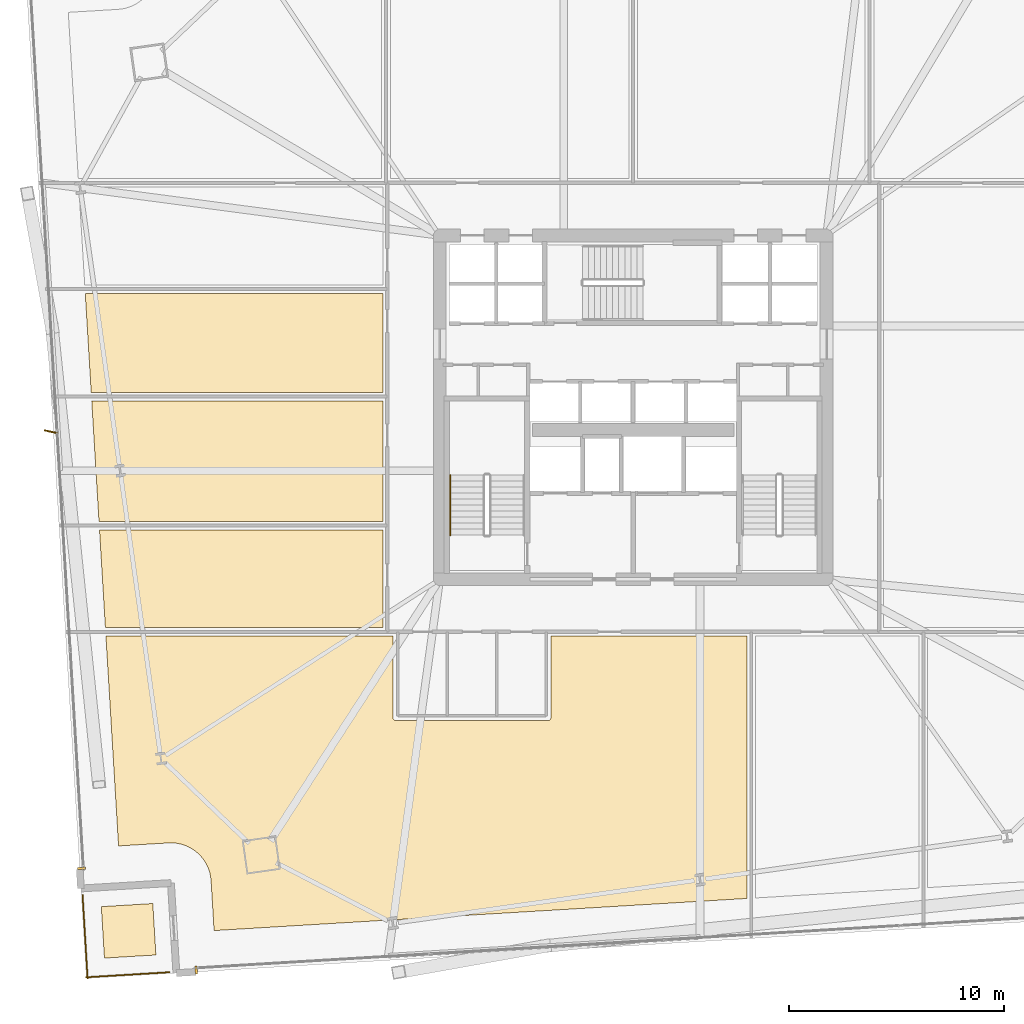
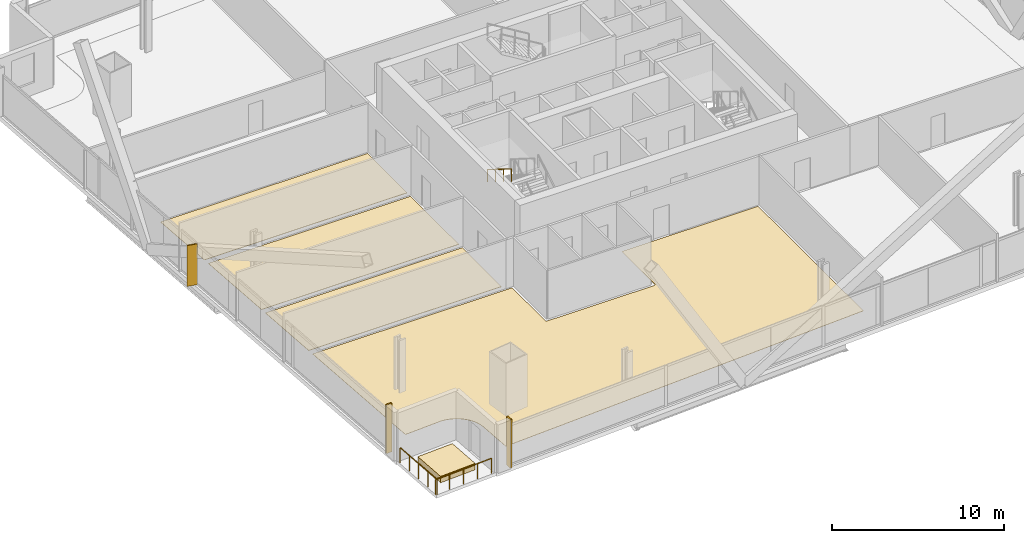
# One storey, part 30 of 34: 7 coverings, 3 railings, 1 shading device.
"""IFC4 building model written with IfcOpenShell, lengths in metres."""

import ifcopenshell
import ifcopenshell.guid

model = None  # the IFC model being written
_history = None  # IfcOwnerHistory: only IFC2X3 demands one
_inside = {}  # id of a spatial element -> (the spatial element, [elements in it])
_under = {}  # id of a project, library or spatial element -> (it, [spatial elements below it])
_declared = {}  # id of a project -> (the project, [libraries it declares])
_typed = {}  # id of a type object -> (the type object, [elements of that type])
_made_of = {}  # id of a material, layer set ... -> (it, [elements and type objects made of it])


def new_model(schema):
    """Start an empty IFC model of exactly this schema.

    Asked for "IFC4X3", IfcOpenShell would pick the latest addendum, in which some entities
    have other attributes; the version numbers below select the first issue.
    IFC2X3 requires an IfcOwnerHistory on every rooted entity: one is made here for all.
    """
    global model, _history
    if schema == "IFC4X3":
        model = ifcopenshell.file(schema_version=(4, 3, 0, 0))
    else:
        model = ifcopenshell.file(schema=schema)
    _inside.clear()
    _under.clear()
    _declared.clear()
    _typed.clear()
    _made_of.clear()
    _history = None
    if model.schema == "IFC2X3":
        org = make("IfcOrganization", Name="unknown")
        user = make(
            "IfcPersonAndOrganization",
            ThePerson=make("IfcPerson", FamilyName="unknown"),
            TheOrganization=org,
        )
        app = make(
            "IfcApplication",
            ApplicationDeveloper=org,
            Version="unknown",
            ApplicationFullName="unknown",
            ApplicationIdentifier="unknown",
        )
        _history = make(
            "IfcOwnerHistory",
            OwningUser=user,
            OwningApplication=app,
            ChangeAction="ADDED",
            CreationDate=0,
        )
    return model


def make(cls, **values):
    """One entity of the class cls with the attributes given. An attribute that is None is left unset."""
    return model.create_entity(
        cls, **{name: value for name, value in values.items() if value is not None}
    )


def rooted(cls, **values):
    """An entity with a GlobalId (a new one), such as an element, a storey or a relation."""
    return make(cls, GlobalId=ifcopenshell.guid.new(), OwnerHistory=_history, **values)


def si_unit(unit_type, name, prefix=None):
    """IfcSIUnit, for example si_unit("LENGTHUNIT", "METRE", prefix="MILLI")."""
    return make("IfcSIUnit", UnitType=unit_type, Prefix=prefix, Name=name)


def assignment(units):
    """IfcUnitAssignment: the units of a project."""
    return None if units is None else make("IfcUnitAssignment", Units=units)


def point(xyz):
    """IfcCartesianPoint."""
    return None if xyz is None else make("IfcCartesianPoint", Coordinates=xyz)


def direction(xyz):
    """IfcDirection."""
    return None if xyz is None else make("IfcDirection", DirectionRatios=xyz)


def frame(location, z_axis=None, x_axis=None):
    """IfcAxis2Placement3D, a coordinate frame: its origin and axes. An axis left out is left unset."""
    return make(
        "IfcAxis2Placement3D",
        Location=point(location),
        Axis=direction(z_axis),
        RefDirection=direction(x_axis),
    )


def frame_2d(location, x_axis=None):
    """IfcAxis2Placement2D, a coordinate frame in the plane: its origin and x axis."""
    return make(
        "IfcAxis2Placement2D", Location=point(location), RefDirection=direction(x_axis)
    )


def origin():
    """The frame at (0, 0, 0) with its axes left unset."""
    return frame((0.0, 0.0, 0.0))


def origin_2d():
    """The frame at (0, 0) in the plane with its x axis left unset."""
    return frame_2d((0.0, 0.0))


def place(relative_to, where):
    """IfcLocalPlacement: puts the frame where relative to a parent placement (None: the world)."""
    return make(
        "IfcLocalPlacement", PlacementRelTo=relative_to, RelativePlacement=where
    )


def context(
    kind, dimensions, precision=None, world=None, true_north=None, identifier=None
):
    """IfcGeometricRepresentationContext, for example the 3D "Model" context."""
    return make(
        "IfcGeometricRepresentationContext",
        ContextIdentifier=identifier,
        ContextType=kind,
        CoordinateSpaceDimension=dimensions,
        Precision=precision,
        WorldCoordinateSystem=world,
        TrueNorth=true_north,
    )


def subcontext(parent, identifier, kind, view, scale=None):
    """IfcGeometricRepresentationSubContext, for example "Body" below "Model"."""
    return make(
        "IfcGeometricRepresentationSubContext",
        ContextIdentifier=identifier,
        ContextType=kind,
        ParentContext=parent,
        TargetScale=scale,
        TargetView=view,
    )


def project(units=None, contexts=None):
    """IfcProject with its units and contexts."""
    return rooted(
        "IfcProject",
        Name="project",
        RepresentationContexts=contexts,
        UnitsInContext=assignment(units),
    )


def spatial(cls, under=None, at=None, **own):
    """A site, building, storey or space (cls), placed at a placement, below another one or the project."""
    s = rooted(cls, ObjectPlacement=at, **own)
    if under is not None:
        _under.setdefault(under.id(), (under, []))[1].append(s)
    return s


def polyline(points):
    """IfcPolyline through the points."""
    return make("IfcPolyline", Points=[point(p) for p in points])


def profile(cls, at=None, kind="AREA", **sizes):
    """A parametric profile (cls). Its sizes go by their IFC names, for example OverallWidth=200.0."""
    return make(cls, ProfileType=kind, Position=at, **sizes)


def rectangle(**sizes):
    """IfcRectangleProfileDef."""
    return profile("IfcRectangleProfileDef", **sizes)


def outline(outer, holes=None, kind="AREA"):
    """IfcArbitraryClosedProfileDef: a profile drawn as a closed curve; with holes, ...WithVoids."""
    if holes is None:
        return make("IfcArbitraryClosedProfileDef", ProfileType=kind, OuterCurve=outer)
    return make(
        "IfcArbitraryProfileDefWithVoids",
        ProfileType=kind,
        OuterCurve=outer,
        InnerCurves=holes,
    )


def extrude(swept, where, along, depth):
    """IfcExtrudedAreaSolid: the profile swept, set in the frame where, extruded along a direction by depth."""
    return make(
        "IfcExtrudedAreaSolid",
        SweptArea=swept,
        Position=where,
        ExtrudedDirection=direction(along),
        Depth=depth,
    )


def shape(context_of_items, identifier, shape_type, items):
    """IfcShapeRepresentation: the items that make up one representation, for example the "Body"."""
    return make(
        "IfcShapeRepresentation",
        ContextOfItems=context_of_items,
        RepresentationIdentifier=identifier,
        RepresentationType=shape_type,
        Items=items,
    )


def source(mapping_origin, context_of_items, identifier, shape_type, items):
    """IfcRepresentationMap: a shape defined once, which mapped items show again and again."""
    return make(
        "IfcRepresentationMap",
        MappingOrigin=mapping_origin,
        MappedRepresentation=shape(context_of_items, identifier, shape_type, items),
    )


def transform(
    local_origin,
    x_axis=None,
    y_axis=None,
    z_axis=None,
    scale=None,
    scale2=None,
    scale3=None,
    uniform=True,
):
    """IfcCartesianTransformationOperator3D, or its non-uniform kind. x_axis, y_axis, z_axis: its Axis1, 2, 3."""
    if uniform:
        return make(
            "IfcCartesianTransformationOperator3D",
            Axis1=direction(x_axis),
            Axis2=direction(y_axis),
            LocalOrigin=point(local_origin),
            Scale=scale,
            Axis3=direction(z_axis),
        )
    return make(
        "IfcCartesianTransformationOperator3DnonUniform",
        Axis1=direction(x_axis),
        Axis2=direction(y_axis),
        LocalOrigin=point(local_origin),
        Scale=scale,
        Axis3=direction(z_axis),
        Scale2=scale2,
        Scale3=scale3,
    )


def mapped(mapping_source, mapping_target):
    """IfcMappedItem: shows the shape of a source again, moved by a transform."""
    return make(
        "IfcMappedItem", MappingSource=mapping_source, MappingTarget=mapping_target
    )


def material(Name=None, Category=None):
    """IfcMaterial."""
    return make("IfcMaterial", Name=Name, Category=Category)


def layer(
    of_material, thickness, ventilated=None, Name=None, Category=None, Priority=None
):
    """IfcMaterialLayer: one layer of a wall or slab, of a material (None: an air gap)."""
    return make(
        "IfcMaterialLayer",
        Material=of_material,
        LayerThickness=thickness,
        IsVentilated=ventilated,
        Name=Name,
        Category=Category,
        Priority=Priority,
    )


def layer_set(layers, Name=None):
    """IfcMaterialLayerSet."""
    return make("IfcMaterialLayerSet", MaterialLayers=layers, LayerSetName=Name)


def made_of(thing, what):
    """Note that an element or type object is made of a material, layer set ...; save() writes the relation."""
    if what is not None:
        _made_of.setdefault(what.id(), (what, []))[1].append(thing)
    return thing


def type_object(cls, material=None, **own):
    """A type object (cls), such as IfcWallType, which elements share."""
    return made_of(rooted(cls, **own), material)


def element(
    cls,
    number,
    at=None,
    inside=None,
    cuts=None,
    type_object=None,
    material=None,
    context=None,
    identifier="Body",
    shape_type=None,
    held_by="IfcProductDefinitionShape",
    body=None,
    shapes=None,
    **own,
):
    """One element of the class cls, such as IfcWall. Its Tag is "e" and its number.

    at: its placement. inside: the storey or other place that contains it. cuts: it is an
    opening in that element (IfcRelVoidsElement). A single representation is given by context,
    identifier, shape_type and body (its items); several are given by shapes. held_by: the class
    of the entity that holds the representations. save() writes the other relations.
    """
    e = rooted(cls, Tag="e%d" % number, ObjectPlacement=at, **own)
    if body is not None:
        shapes = [shape(context, identifier, shape_type, body)]
    if shapes is not None:
        e.Representation = make(held_by, Representations=shapes)
    if inside is not None:
        _inside.setdefault(inside.id(), (inside, []))[1].append(e)
    if cuts is not None:
        rooted(
            "IfcRelVoidsElement", RelatingBuildingElement=cuts, RelatedOpeningElement=e
        )
    if type_object is not None:
        _typed.setdefault(type_object.id(), (type_object, []))[1].append(e)
    return made_of(e, material)


def aggregate(whole, parts):
    """IfcRelAggregates: a whole, such as a stair, and the parts it consists of."""
    return rooted("IfcRelAggregates", RelatingObject=whole, RelatedObjects=parts)


def save(model, path):
    """Write the relations noted so far, then the file.

    IfcRelAggregates (storeys below a building ...), IfcRelContainedInSpatialStructure (elements
    in a storey), IfcRelDefinesByType, IfcRelAssociatesMaterial and IfcRelDeclares: one each for
    every whole, place, type object, material and project.
    """
    for whole, parts in _under.values():
        aggregate(whole, parts)
    for where, things in _inside.values():
        rooted(
            "IfcRelContainedInSpatialStructure",
            RelatedElements=things,
            RelatingStructure=where,
        )
    for kind, things in _typed.values():
        rooted("IfcRelDefinesByType", RelatedObjects=things, RelatingType=kind)
    for what, things in _made_of.values():
        rooted("IfcRelAssociatesMaterial", RelatedObjects=things, RelatingMaterial=what)
    for by, libraries in _declared.values():
        rooted("IfcRelDeclares", RelatingContext=by, RelatedDefinitions=libraries)
    model.write(path)


model = new_model("IFC4")

# Units and contexts
model_context = context("Model", 3, precision=1e-05, world=origin(), true_north=direction((0.0, 1.0)))
body_context = subcontext(model_context, "Body", "Model", "MODEL_VIEW")
ifc_project = project(units=[si_unit("LENGTHUNIT", "METRE"), si_unit("AREAUNIT", "SQUARE_METRE"), si_unit("VOLUMEUNIT", "CUBIC_METRE"), si_unit("PLANEANGLEUNIT", "RADIAN"), si_unit("MASSUNIT", "GRAM", prefix="KILO")], contexts=[model_context])

# Site, building, storey
site_placement = place(None, origin())
site = spatial("IfcSite", under=ifc_project, at=site_placement, CompositionType="ELEMENT")
building_placement = place(site_placement, origin())
building = spatial("IfcBuilding", under=site, at=building_placement, Name="Haldenkirk Collegiate Tower", CompositionType="ELEMENT")
storey_placement = place(building_placement, frame((0.0, 0.0, 40.199951171875)))
storey = spatial("IfcBuildingStorey", under=building, at=storey_placement, Name="L08", CompositionType="ELEMENT", Elevation=40.199951171875)

# Coverings
ifc_material_1 = material(Name="Polished collegiate terrazzo", Category="concrete")
ifc_layer_1 = layer(ifc_material_1, 0.02490234375)
ifc_layer_set_1 = layer_set([ifc_layer_1], Name="Polished collegiate terrazzo")
covering_type_1 = type_object("IfcCoveringType", Name="COV-FLOOR-TERRAZZO", PredefinedType="FLOORING", material=ifc_layer_set_1)
covering_1_placement = place(storey_placement, origin())
element("IfcCovering", 1, at=covering_1_placement, inside=storey, type_object=covering_type_1, Name="L08 academic room finish 08", PredefinedType="FLOORING", context=body_context, shape_type="SweptSolid", body=[
    extrude(outline(polyline([(11.168212890625, 20.300048828125), (24.35009765625, 20.300048828125), (24.35009765625, 15.75), (11.4423828125, 15.75), (11.168212890625, 20.300048828125)])), origin(), (0.0, 0.0, 1.0), 0.025146484375),
])
covering_2_placement = place(storey_placement, origin())
element("IfcCovering", 2, at=covering_2_placement, inside=storey, type_object=covering_type_1, Name="L08 academic room finish 10", PredefinedType="FLOORING", context=body_context, shape_type="SweptSolid", body=[
    extrude(outline(polyline([(10.5048828125, 31.300048828125), (24.35009765625, 31.300048828125), (24.35009765625, 26.699951171875), (10.7822265625, 26.699951171875), (10.5048828125, 31.300048828125)])), origin(), (0.0, 0.0, 1.0), 0.025146484375),
])
ifc_material_2 = material(Name="Engineered collegiate oak acoustic flooring", Category="wood")
ifc_layer_2 = layer(ifc_material_2, 0.02197265625)
ifc_layer_set_2 = layer_set([ifc_layer_2], Name="Engineered collegiate oak acoustic flooring")
covering_type_2 = type_object("IfcCoveringType", Name="COV-FLOOR-TIMBER", PredefinedType="FLOORING", material=ifc_layer_set_2)
covering_3_placement = place(storey_placement, origin())
element("IfcCovering", 3, at=covering_3_placement, inside=storey, type_object=covering_type_2, Name="L08 academic room finish 01", PredefinedType="FLOORING", context=body_context, shape_type="SweptSolid", body=[
    extrude(outline(polyline([(16.177001953125, 4.678466796875), (16.171875, 4.689208984375), (16.089111328125, 4.839599609375), (16.0830078125, 4.849609375), (15.98583984375, 4.991455078125), (15.978759765625, 5.0009765625), (15.868408203125, 5.13232421875), (15.8603515625, 5.14111328125), (15.737548828125, 5.260986328125), (15.728759765625, 5.268798828125), (15.594970703125, 5.376220703125), (15.585205078125, 5.38330078125), (15.44140625, 5.47705078125), (15.431396484375, 5.48291015625), (15.279052734375, 5.562255859375), (15.268310546875, 5.567138671875), (15.10888671875, 5.631103515625), (15.09765625, 5.635009765625), (14.932861328125, 5.68310546875), (14.92138671875, 5.685791015625), (14.752685546875, 5.71728515625), (14.740966796875, 5.718994140625), (14.56982421875, 5.73388671875), (14.55810546875, 5.734375), (14.386474609375, 5.732421875), (14.380615234375, 5.732177734375), (12.0546875, 5.592041015625), (11.466552734375, 15.35009765625), (24.830078125, 15.35009765625), (24.830078125, 11.550048828125), (24.83056640625, 11.5380859375), (24.832275390625, 11.526611328125), (24.835205078125, 11.51513671875), (24.839111328125, 11.504150390625), (24.84423828125, 11.493408203125), (24.85009765625, 11.4833984375), (24.857177734375, 11.473876953125), (24.864990234375, 11.465087890625), (24.873779296875, 11.457275390625), (24.88330078125, 11.4501953125), (24.893310546875, 11.444091796875), (24.904052734375, 11.439208984375), (24.915283203125, 11.435302734375), (24.926513671875, 11.432373046875), (24.938232421875, 11.4306640625), (24.949951171875, 11.429931640625), (32.050048828125, 11.429931640625), (32.061767578125, 11.4306640625), (32.073486328125, 11.432373046875), (32.084716796875, 11.435302734375), (32.095947265625, 11.439208984375), (32.106689453125, 11.444091796875), (32.11669921875, 11.4501953125), (32.126220703125, 11.457275390625), (32.135009765625, 11.465087890625), (32.142822265625, 11.473876953125), (32.14990234375, 11.4833984375), (32.15576171875, 11.493408203125), (32.160888671875, 11.504150390625), (32.164794921875, 11.51513671875), (32.167724609375, 11.526611328125), (32.16943359375, 11.5380859375), (32.169921875, 11.550048828125), (32.169921875, 15.35009765625), (41.300048828125, 15.35009765625), (41.300048828125, 3.147705078125), (16.5, 1.65234375), (16.359619140625, 3.97802734375), (16.359130859375, 3.98388671875), (16.34033203125, 4.15478515625), (16.33837890625, 4.166259765625), (16.302978515625, 4.33447265625), (16.300048828125, 4.345703125), (16.248291015625, 4.509521484375), (16.244384765625, 4.5205078125), (16.177001953125, 4.678466796875)])), origin(), (0.0, 0.0, 1.0), 0.02197265625),
])
covering_4_placement = place(storey_placement, origin())
element("IfcCovering", 4, at=covering_4_placement, inside=storey, type_object=covering_type_2, Name="L08 academic room finish 09", PredefinedType="FLOORING", context=body_context, shape_type="SweptSolid", body=[
    extrude(outline(polyline([(10.806396484375, 26.300048828125), (24.35009765625, 26.300048828125), (24.35009765625, 20.699951171875), (11.143798828125, 20.699951171875), (10.806396484375, 26.300048828125)])), origin(), (0.0, 0.0, 1.0), 0.02197265625),
])
ifc_material_3 = material(Name="Precast concrete f'c 40 MPa", Category="concrete")
ifc_layer_3 = layer(ifc_material_3, 0.449951171875)
ifc_layer_set_3 = layer_set([ifc_layer_3], Name="Precast concrete f'c 40 MPa")
covering_type_3 = type_object("IfcCoveringType", Name="COV-PLANTER-450", PredefinedType="USERDEFINED", material=ifc_layer_set_3)
covering_5_placement = place(storey_placement, origin())
element("IfcCovering", 5, at=covering_5_placement, inside=storey, type_object=covering_type_3, Name="L08 planted garden planter bed", ObjectType="PLANTER", PredefinedType="USERDEFINED", context=body_context, shape_type="SweptSolid", body=[
    extrude(outline(polyline([(11.397705078125, 0.373046875), (11.253173828125, 2.768798828125), (13.648681640625, 2.9130859375), (13.793212890625, 0.517578125), (11.397705078125, 0.373046875)])), origin(), (0.0, 0.0, 1.0), 0.449951171875),
])

# Railings
ifc_material_4 = material(Name="Painted architectural tubular steel", Category="steel")
railing_type_1 = type_object("IfcRailingType", Name="RLG-STAIR-HANDRAIL-900", PredefinedType="HANDRAIL", material=ifc_material_4)
railing_1_placement = place(storey_placement, frame((27.5, 22.85009765625, 2.04541015625)))
element("IfcRailing", 6, at=railing_1_placement, inside=storey, type_object=railing_type_1, Name="L08 ST-1 stair handrail 2", PredefinedType="HANDRAIL", context=body_context, shape_type="SweptSolid", body=[
    extrude(rectangle(XDim=0.048095703125, YDim=0.048095703125, at=origin_2d()), frame((0.0, 0.0, 0.8759765625), z_axis=(0.0, -0.854169791009, 0.51999420009), x_axis=(1.0, 0.0, 0.0)), (0.0, 0.0, 1.0), 3.278076171875),
    extrude(rectangle(XDim=0.0419921875, YDim=0.0419921875, at=origin_2d()), origin(), (0.0, 0.0, 1.0), 0.851806640625),
    extrude(rectangle(XDim=0.0419921875, YDim=0.0419921875, at=origin_2d()), frame((0.0, -0.933349609375, 0.568115234375)), (0.0, 0.0, 1.0), 0.851806640625),
    extrude(rectangle(XDim=0.0419921875, YDim=0.0419921875, at=origin_2d()), frame((0.0, -1.86669921875, 1.136474609375)), (0.0, 0.0, 1.0), 0.851806640625),
    extrude(rectangle(XDim=0.0419921875, YDim=0.0419921875, at=origin_2d()), frame((0.0, -2.800048828125, 1.70458984375)), (0.0, 0.0, 1.0), 0.851806640625),
])
ifc_material_5 = material(Name="Anodised architectural bronze aluminium", Category="aluminium")
railing_type_2 = type_object("IfcRailingType", Name="RLG-TERR-BALUSTRADE-1100", PredefinedType="BALUSTRADE", material=ifc_material_5)
railing_2_placement = place(storey_placement, frame((10.5498046875, -0.51953125, 0.0)))
element("IfcRailing", 7, at=railing_2_placement, inside=storey, type_object=railing_type_2, Name="L08 terrace guard balustrade 1-1", PredefinedType="BALUSTRADE", context=body_context, shape_type="SweptSolid", body=[
    extrude(rectangle(XDim=0.048095703125, YDim=0.048095703125, at=origin_2d()), frame((0.0, 0.0, 1.076171875), z_axis=(0.998189162483, 0.060153103841, 0.0), x_axis=(-0.060153103841, 0.998189162483, 0.0)), (0.0, 0.0, 1.0), 3.880126953125),
    extrude(rectangle(XDim=0.0419921875, YDim=0.0419921875, at=origin_2d()), origin(), (0.0, 0.0, 1.0), 1.052001953125),
    extrude(rectangle(XDim=0.0419921875, YDim=0.0419921875, at=origin_2d()), frame((0.96826171875, 0.058349609375, 0.0)), (0.0, 0.0, 1.0), 1.052001953125),
    extrude(rectangle(XDim=0.0419921875, YDim=0.0419921875, at=origin_2d()), frame((1.9365234375, 0.11669921875, 0.0)), (0.0, 0.0, 1.0), 1.052001953125),
    extrude(rectangle(XDim=0.0419921875, YDim=0.0419921875, at=origin_2d()), frame((2.90478515625, 0.175048828125, 0.0)), (0.0, 0.0, 1.0), 1.052001953125),
    extrude(rectangle(XDim=0.0419921875, YDim=0.0419921875, at=origin_2d()), frame((3.873046875, 0.2333984375, 0.0)), (0.0, 0.0, 1.0), 1.052001953125),
])
railing_3_placement = place(storey_placement, frame((10.3798828125, 3.297119140625, 0.0)))
element("IfcRailing", 8, at=railing_3_placement, inside=storey, type_object=railing_type_2, Name="L08 terrace guard balustrade 4-1", PredefinedType="BALUSTRADE", context=body_context, shape_type="SweptSolid", body=[
    extrude(rectangle(XDim=0.048095703125, YDim=0.048095703125, at=origin_2d()), frame((0.0, 0.0, 1.076171875), z_axis=(0.060153103841, -0.998189162483, 0.0), x_axis=(0.998189162483, 0.060153103841, 0.0)), (0.0, 0.0, 1.0), 3.880126953125),
    extrude(rectangle(XDim=0.0419921875, YDim=0.0419921875, at=origin_2d()), origin(), (0.0, 0.0, 1.0), 1.052001953125),
    extrude(rectangle(XDim=0.0419921875, YDim=0.0419921875, at=origin_2d()), frame((0.058349609375, -0.96826171875, 0.0)), (0.0, 0.0, 1.0), 1.052001953125),
    extrude(rectangle(XDim=0.0419921875, YDim=0.0419921875, at=origin_2d()), frame((0.11669921875, -1.9365234375, 0.0)), (0.0, 0.0, 1.0), 1.052001953125),
    extrude(rectangle(XDim=0.0419921875, YDim=0.0419921875, at=origin_2d()), frame((0.175048828125, -2.90478515625, 0.0)), (0.0, 0.0, 1.0), 1.052001953125),
    extrude(rectangle(XDim=0.0419921875, YDim=0.0419921875, at=origin_2d()), frame((0.2333984375, -3.873046875, 0.0)), (0.0, 0.0, 1.0), 1.052001953125),
])

# Coverings
ifc_layer_4 = layer(ifc_material_5, 0.06005859375)
ifc_layer_set_4 = layer_set([ifc_layer_4], Name="Anodised architectural bronze aluminium")
covering_type_4 = type_object("IfcCoveringType", Name="COV-CLAD-BRONZE-60", PredefinedType="CLADDING", material=ifc_layer_set_4)
shared_shape_1 = source(origin(), body_context, "Body", "SweptSolid", [
    extrude(rectangle(XDim=0.10009765625, YDim=0.3798828125, at=origin_2d()), origin(), (0.0, 0.0, 1.0), 3.43994140625),
])
for number, where, z_axis, x_axis, name in (
    (9, (15.668701171875, -0.180908203125, 0.0), (0.0, 0.0, 1.0), (-0.998187693254, -0.060177479469, 0.0), "L08 recessed curtain-wall bronze jamb closure SJR"),
    (10, (10.33447265625, 4.546630859375, 0.0), (0.0, 0.0, 1.0), (-0.060177479469, 0.998187693254, 0.0), "L08 recessed curtain-wall bronze jamb closure WJL"),
):
    element("IfcCovering", number, at=place(storey_placement, frame(where, z_axis=z_axis, x_axis=x_axis)), inside=storey, type_object=covering_type_4, Name=name, PredefinedType="CLADDING", context=body_context, shape_type="MappedRepresentation", body=[
        mapped(shared_shape_1, transform((0.0, 0.0, 0.0), x_axis=(1.0, 0.0, 0.0), y_axis=(0.0, 1.0, 0.0), z_axis=(0.0, 0.0, 1.0), scale=1.0)),
    ])

# Shading device
ifc_layer_5 = layer(ifc_material_5, 0.06494140625)
ifc_layer_set_5 = layer_set([ifc_layer_5], Name="Anodised architectural bronze aluminium")
shading_device_type = type_object("IfcShadingDeviceType", Name="SHD-FIN-BRONZE-620", PredefinedType="USERDEFINED", material=ifc_layer_set_5)
shared_shape_2 = source(origin(), body_context, "Body", "SweptSolid", [
    extrude(rectangle(XDim=0.6201171875, YDim=0.06494140625, at=origin_2d()), origin(), (0.0, 0.0, 1.0), 2.89111328125),
])
shading_device_placement = place(storey_placement, frame((8.904052734375, 24.8671875, 0.0), z_axis=(0.0, 0.0, 1.0), x_axis=(-0.976106756203, 0.217291510406, 0.0)))
element("IfcShadingDevice", 11, at=shading_device_placement, inside=storey, type_object=shading_device_type, Name="L08 folded bronze solar fin 1", ObjectType="FIN", PredefinedType="USERDEFINED", context=body_context, shape_type="MappedRepresentation", body=[
    mapped(shared_shape_2, transform((0.0, 0.0, 0.0), x_axis=(1.0, 0.0, 0.0), y_axis=(0.0, 1.0, 0.0), z_axis=(0.0, 0.0, 1.0), scale=1.0)),
])

save(model, "model.ifc")
